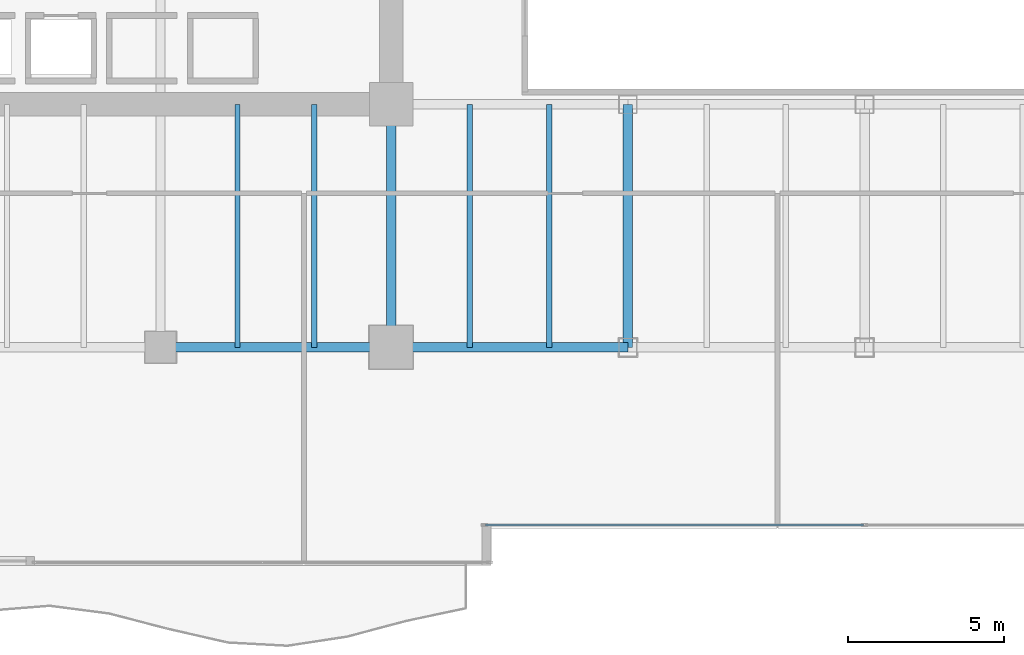
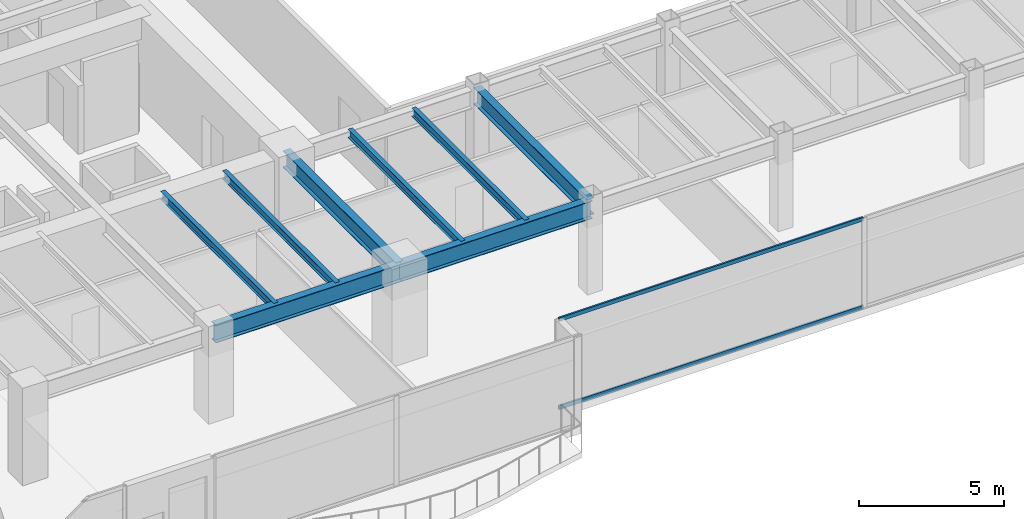
# One storey, part 5 of 32: 8 beams, 2 members, 1 element without a shape of its own.
"""IFC4 building model written with IfcOpenShell, lengths in metres."""

from ifc_helpers import new_model, si_unit, direction, frame, origin, origin_2d, place, context, subcontext, project, spatial, hollow_rectangle, i_section, extrude, source, transform, mapped, material, layer, layer_set, material_profile, profile_set, type_object, type_shapes, element, aggregate, save


model = new_model("IFC4")

# Units and contexts
model_context = context("Model", 3, precision=1e-05, world=origin(), true_north=direction((0.0, 1.0)))
body_context = subcontext(model_context, "Body", "Model", "MODEL_VIEW")
ifc_project = project(units=[si_unit("LENGTHUNIT", "METRE"), si_unit("AREAUNIT", "SQUARE_METRE"), si_unit("VOLUMEUNIT", "CUBIC_METRE"), si_unit("PLANEANGLEUNIT", "RADIAN"), si_unit("MASSUNIT", "GRAM", prefix="KILO")], contexts=[model_context])

# Site, building, storey
site_placement = place(None, origin())
site = spatial("IfcSite", under=ifc_project, at=site_placement, CompositionType="ELEMENT")
building_placement = place(site_placement, origin())
building = spatial("IfcBuilding", under=site, at=building_placement, Name="Haelvirn Gate Laboratories", CompositionType="ELEMENT")
storey_placement = place(building_placement, frame((0.0, 0.0, 33.39990234375)))
storey = spatial("IfcBuildingStorey", under=building, at=storey_placement, Name="L08", CompositionType="ELEMENT", Elevation=33.39990234375)

# Beams
ifc_material_1 = material(Name="Steel SM355", Category="steel")
ifc_material_profile_1 = material_profile(ifc_material_1, i_section(OverallWidth=0.300048828125, OverallDepth=0.699951171875, WebThickness=0.012939453125, FlangeThickness=0.02392578125, at=origin_2d()), Name="H-700x300x13x24")
ifc_profile_set_1 = profile_set([ifc_material_profile_1], Name="Steel SM355")
beam_type_1 = type_object("IfcBeamType", Name="BM-G-700", PredefinedType="BEAM", material=ifc_profile_set_1)
shared_shape_1 = source(origin(), body_context, "Body", "SweptSolid", [
    extrude(i_section(OverallWidth=0.300048828125, OverallDepth=0.699951171875, WebThickness=0.012939453125, FlangeThickness=0.02392578125, at=origin_2d()), origin(), (0.0, 0.0, 1.0), 7.800048828125),
])
type_shapes(beam_type_1, [shared_shape_1])
for number, where, z_axis, x_axis, name in (
    (1, (22.199951171875, 7.0, 3.43017578125), (0.0, 1.0, 0.0), (-1.0, 0.0, 0.0), "L08 Frame Girder X22.2 (7.0-14.8)"),
    (2, (29.800048828125, 7.0, 3.43017578125), (0.0, 1.0, 0.0), (-1.0, 0.0, 0.0), "L08 Frame Girder X29.8 (7.0-14.8)"),
):
    element("IfcBeam", number, at=place(storey_placement, frame(where, z_axis=z_axis, x_axis=x_axis)), inside=storey, type_object=beam_type_1, Name=name, PredefinedType="BEAM", context=body_context, shape_type="MappedRepresentation", body=[
        mapped(shared_shape_1, transform((0.0, 0.0, 0.0), scale=1.0)),
    ])
ifc_material_profile_2 = material_profile(ifc_material_1, i_section(OverallWidth=0.300048828125, OverallDepth=0.75, WebThickness=0.013916015625, FlangeThickness=0.02392578125, at=origin_2d()), Name="H-750x300x14x24")
ifc_profile_set_2 = profile_set([ifc_material_profile_2], Name="Steel SM355")
beam_type_2 = type_object("IfcBeamType", Name="BM-G-750", PredefinedType="BEAM", material=ifc_profile_set_2)
shared_shape_2 = source(origin(), body_context, "Body", "SweptSolid", [
    extrude(i_section(OverallWidth=0.300048828125, OverallDepth=0.75, WebThickness=0.013916015625, FlangeThickness=0.02392578125, at=origin_2d()), origin(), (0.0, 0.0, 1.0), 7.39990234375),
])
beam_1_placement = place(storey_placement, frame((14.800048828125, 7.0, 3.405029296875), z_axis=(1.0, 0.0, 0.0), x_axis=(0.0, 1.0, 0.0)))
element("IfcBeam", 3, at=beam_1_placement, inside=storey, type_object=beam_type_2, Name="L08 Primary Girder Y7.0 (14.8-22.2)", PredefinedType="BEAM", context=body_context, shape_type="MappedRepresentation", body=[
    mapped(shared_shape_2, transform((0.0, 0.0, 0.0), scale=1.0)),
])
shared_shape_3 = source(origin(), body_context, "Body", "SweptSolid", [
    extrude(i_section(OverallWidth=0.300048828125, OverallDepth=0.75, WebThickness=0.013916015625, FlangeThickness=0.02392578125, at=origin_2d()), origin(), (0.0, 0.0, 1.0), 7.60009765625),
])
type_shapes(beam_type_2, [shared_shape_2, shared_shape_3])
beam_2_placement = place(storey_placement, frame((22.199951171875, 7.0, 3.405029296875), z_axis=(1.0, 0.0, 0.0), x_axis=(0.0, 1.0, 0.0)))
element("IfcBeam", 4, at=beam_2_placement, inside=storey, type_object=beam_type_2, Name="L08 Primary Girder Y7.0 (22.2-29.8)", PredefinedType="BEAM", context=body_context, shape_type="MappedRepresentation", body=[
    mapped(shared_shape_3, transform((0.0, 0.0, 0.0), scale=1.0)),
])
ifc_material_profile_3 = material_profile(ifc_material_1, i_section(OverallWidth=0.175048828125, OverallDepth=0.35009765625, WebThickness=0.007080078125, FlangeThickness=0.010986328125, at=origin_2d()), Name="H-350x175x7x11")
ifc_profile_set_3 = profile_set([ifc_material_profile_3], Name="Steel SM355")
beam_type_3 = type_object("IfcBeamType", Name="BM-J-350", PredefinedType="JOIST", material=ifc_profile_set_3)
shared_shape_4 = source(origin(), body_context, "Body", "SweptSolid", [
    extrude(i_section(OverallWidth=0.175048828125, OverallDepth=0.35009765625, WebThickness=0.007080078125, FlangeThickness=0.010986328125, at=origin_2d()), origin(), (0.0, 0.0, 1.0), 7.800048828125),
])
type_shapes(beam_type_3, [shared_shape_4])
for number, where, z_axis, x_axis, name in (
    (5, (17.27001953125, 7.0, 3.60498046875), (0.0, 1.0, 0.0), (-1.0, 0.0, 0.0), "L08 Composite Lab Joist South X17.27"),
    (6, (19.72998046875, 7.0, 3.60498046875), (0.0, 1.0, 0.0), (-1.0, 0.0, 0.0), "L08 Composite Lab Joist South X19.73"),
    (7, (24.72998046875, 7.0, 3.60498046875), (0.0, 1.0, 0.0), (-1.0, 0.0, 0.0), "L08 Composite Lab Joist South X24.73"),
    (8, (27.27001953125, 7.0, 3.60498046875), (0.0, 1.0, 0.0), (-1.0, 0.0, 0.0), "L08 Composite Lab Joist South X27.27"),
):
    element("IfcBeam", number, at=place(storey_placement, frame(where, z_axis=z_axis, x_axis=x_axis)), inside=storey, type_object=beam_type_3, Name=name, PredefinedType="JOIST", context=body_context, shape_type="MappedRepresentation", body=[
        mapped(shared_shape_4, transform((0.0, 0.0, 0.0), scale=1.0)),
    ])

# Curtain wall, members
ifc_material_2 = material(Name="Anodised bronze unitised aluminium & triple low-E glass", Category="aluminium")
ifc_layer = layer(ifc_material_2, 0.18408203125, Name="CW-SYS-2")
ifc_layer_set = layer_set([ifc_layer], Name="Anodised bronze unitised aluminium & triple low-E glass")
curtain_wall_type = type_object("IfcCurtainWallType", Name="CW-SYS-2", PredefinedType="NOTDEFINED", material=ifc_layer_set)
curtain_wall_placement = place(storey_placement, origin())
curtain_wall = element("IfcCurtainWall", 9, at=curtain_wall_placement, inside=storey, type_object=curtain_wall_type, Name="L08 Unitised Curtain Wall CW-L08-P0-E02-1", PredefinedType="NOTDEFINED")
ifc_material_3 = material(Name="Extruded aluminium 6063-T6 (anodised bronze)", Category="aluminium")
ifc_material_profile_4 = material_profile(ifc_material_3, hollow_rectangle(XDim=0.070068359375, YDim=0.159912109375, WallThickness=0.0048828125, at=origin_2d()), Name="CWT-160x70x5")
ifc_profile_set_4 = profile_set([ifc_material_profile_4], Name="Extruded aluminium 6063-T6 (anodised bronze)")
member_type = type_object("IfcMemberType", Name="CWT-T160", PredefinedType="USERDEFINED", material=ifc_profile_set_4)
shared_shape_5 = source(origin(), body_context, "Body", "SweptSolid", [
    extrude(hollow_rectangle(XDim=0.070068359375, YDim=0.159912109375, WallThickness=0.0048828125, at=origin_2d()), origin(), (0.0, 0.0, 1.0), 12.12744140625),
])
type_shapes(member_type, [shared_shape_5])
member_1_placement = place(storey_placement, frame((25.235107421875, 1.300048828125, 0.03515625), z_axis=(1.0, 0.0, 0.0), x_axis=(0.0, 1.0, 0.0)))
member_1 = element("IfcMember", 10, at=member_1_placement, type_object=member_type, Name="CW2 transom 1.1", ObjectType="TRANSOM", PredefinedType="USERDEFINED", context=body_context, shape_type="MappedRepresentation", body=[
    mapped(shared_shape_5, transform((0.0, 0.0, 0.0), scale=1.0)),
])
member_2_placement = place(storey_placement, frame((25.235107421875, 1.300048828125, 3.7451171875), z_axis=(1.0, 0.0, 0.0), x_axis=(0.0, 1.0, 0.0)))
member_2 = element("IfcMember", 11, at=member_2_placement, type_object=member_type, Name="CW2 transom 1.2", ObjectType="TRANSOM", PredefinedType="USERDEFINED", context=body_context, shape_type="MappedRepresentation", body=[
    mapped(shared_shape_5, transform((0.0, 0.0, 0.0), scale=1.0)),
])
aggregate(curtain_wall, [member_1, member_2])

save(model, "model.ifc")
